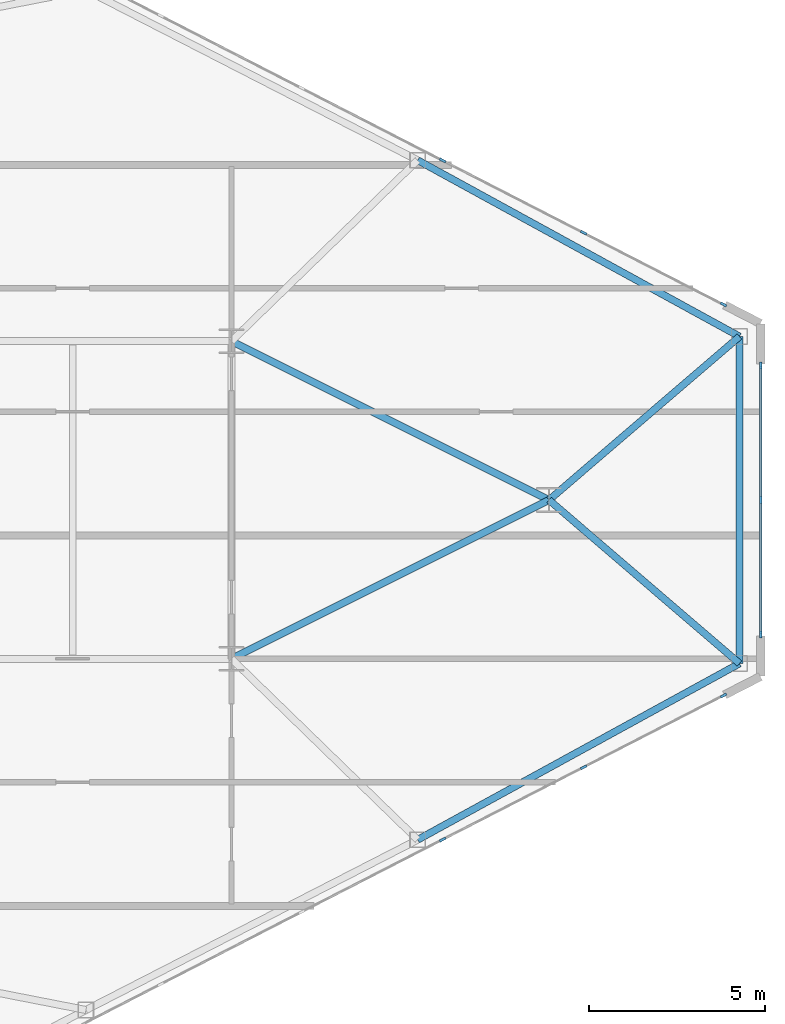
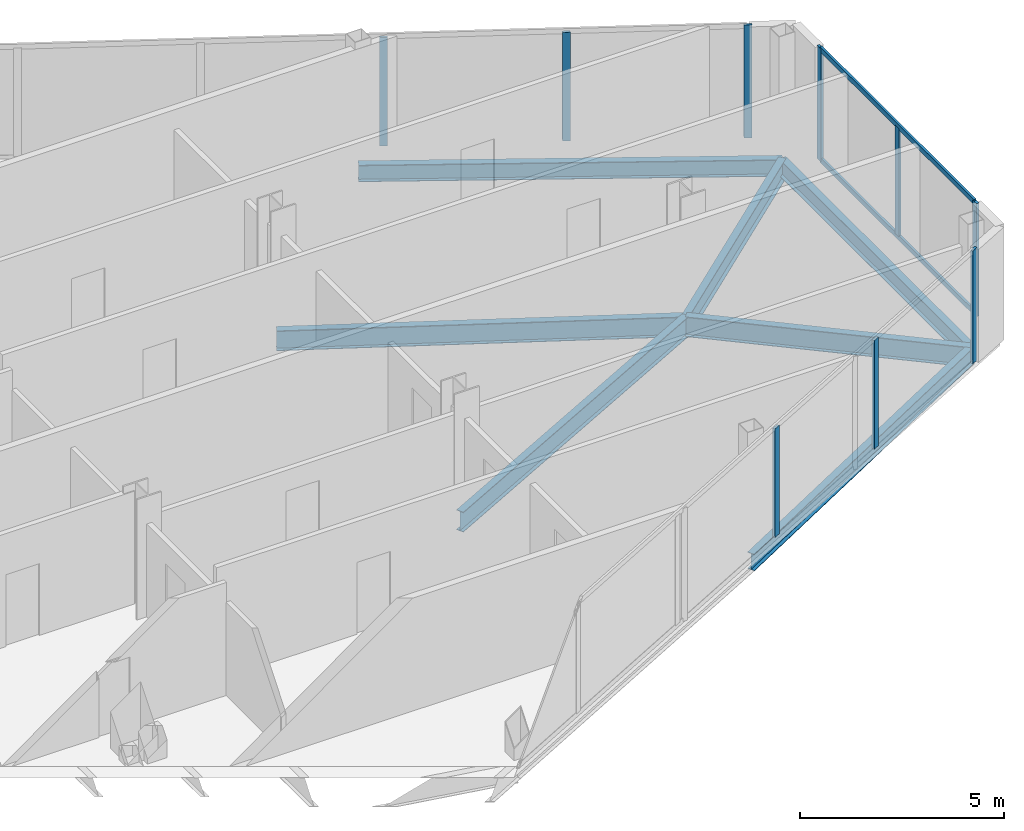
# One storey, part 13 of 24: 11 members, 7 beams, 3 elements without a shape of their own.
"""IFC4 building model written with IfcOpenShell, lengths in metres."""

from ifc_helpers import new_model, si_unit, direction, frame, origin, origin_2d, place, context, subcontext, project, spatial, rectangle, i_section, extrude, source, transform, mapped, material, layer, layer_set, material_profile, profile_set, type_object, type_shapes, element, aggregate, save


model = new_model("IFC4")

# Units and contexts
model_context = context("Model", 3, precision=1e-05, world=origin(), true_north=direction((0.0, 1.0)))
body_context = subcontext(model_context, "Body", "Model", "MODEL_VIEW")
ifc_project = project(units=[si_unit("LENGTHUNIT", "METRE"), si_unit("AREAUNIT", "SQUARE_METRE"), si_unit("VOLUMEUNIT", "CUBIC_METRE"), si_unit("PLANEANGLEUNIT", "RADIAN"), si_unit("MASSUNIT", "GRAM", prefix="KILO")], contexts=[model_context])

# Site, building, storey
site_placement = place(None, origin())
site = spatial("IfcSite", under=ifc_project, at=site_placement, CompositionType="ELEMENT")
building_placement = place(site_placement, origin())
building = spatial("IfcBuilding", under=site, at=building_placement, Name="Seokmaru Belvedere", CompositionType="ELEMENT")
storey_placement = place(building_placement, frame((0.0, 0.0, 140.39990234375)))
storey = spatial("IfcBuildingStorey", under=building, at=storey_placement, Name="L37", CompositionType="ELEMENT", Elevation=140.39990234375)

# Beams
ifc_material_1 = material(Name="Steel SM355 (355 MPa)", Category="steel")
ifc_material_profile_1 = material_profile(ifc_material_1, i_section(OverallWidth=0.199951171875, OverallDepth=0.60009765625, WebThickness=0.010986328125, FlangeThickness=0.01708984375, at=origin_2d()), Name="H-600x200x11x17")
ifc_profile_set_1 = profile_set([ifc_material_profile_1], Name="Steel SM355 (355 MPa)")
beam_type_1 = type_object("IfcBeamType", Name="Primary Floor Girder H-600", PredefinedType="BEAM", material=ifc_profile_set_1)
shared_shape_1 = source(origin(), body_context, "Body", "SweptSolid", [
    extrude(i_section(OverallWidth=0.199951171875, OverallDepth=0.60009765625, WebThickness=0.010986328125, FlangeThickness=0.01708984375, at=origin_2d()), origin(), (0.0, 0.0, 1.0), 10.062255859375),
])
for number, where, z_axis, x_axis, name in (
    (1, (54.5, -4.5, -0.52001953125), (0.894427191, 0.4472135955, 0.0), (-0.4472135955, 0.894427191, 0.0), "L37 E Apex Converging Girder 1"),
    (2, (54.5, 4.5, -0.52001953125), (0.894427191, -0.4472135955, 0.0), (0.4472135955, 0.894427191, 0.0), "L37 E Apex Converging Girder 2"),
):
    element("IfcBeam", number, at=place(storey_placement, frame(where, z_axis=z_axis, x_axis=x_axis)), inside=storey, type_object=beam_type_1, Name=name, PredefinedType="BEAM", context=body_context, shape_type="MappedRepresentation", body=[
        mapped(shared_shape_1, transform((0.0, 0.0, 0.0), scale=1.0)),
    ])
ifc_material_profile_2 = material_profile(ifc_material_1, i_section(OverallWidth=0.199951171875, OverallDepth=0.5, WebThickness=0.010009765625, FlangeThickness=0.01611328125, at=origin_2d()), Name="H-500x200x10x16")
ifc_profile_set_2 = profile_set([ifc_material_profile_2], Name="Steel SM355 (355 MPa)")
beam_type_2 = type_object("IfcBeamType", Name="Perimeter Spandrel Beam H-500", PredefinedType="SPANDREL", material=ifc_profile_set_2)
shared_shape_2 = source(origin(), body_context, "Body", "SweptSolid", [
    extrude(i_section(OverallWidth=0.199951171875, OverallDepth=0.5, WebThickness=0.010009765625, FlangeThickness=0.01611328125, at=origin_2d()), origin(), (0.0, 0.0, 1.0), 10.399658203125),
])
for number, where, z_axis, x_axis, name in (
    (3, (59.778564453125, -9.62890625, -0.469970703125), (0.877082374422, 0.480339992587, 0.0), (-0.480339992587, 0.877082374422, 0.0), "L37 E Faceted Flank Spandrel S-4"),
    (4, (59.778564453125, 9.62890625, -0.469970703125), (0.877082374422, -0.480339992587, 0.0), (0.480339992587, 0.877082374422, 0.0), "L37 E Faceted Flank Spandrel N-4"),
):
    element("IfcBeam", number, at=place(storey_placement, frame(where, z_axis=z_axis, x_axis=x_axis)), inside=storey, type_object=beam_type_2, Name=name, PredefinedType="SPANDREL", context=body_context, shape_type="MappedRepresentation", body=[
        mapped(shared_shape_2, transform((0.0, 0.0, 0.0), scale=1.0)),
    ])
shared_shape_3 = source(origin(), body_context, "Body", "SweptSolid", [
    extrude(i_section(OverallWidth=0.199951171875, OverallDepth=0.5, WebThickness=0.010009765625, FlangeThickness=0.01611328125, at=origin_2d()), origin(), (0.0, 0.0, 1.0), 9.26708984375),
])
type_shapes(beam_type_2, [shared_shape_2, shared_shape_3])
beam_placement = place(storey_placement, frame((68.89990234375, -4.633544921875, -0.469970703125), z_axis=(0.0, 1.0, 0.0), x_axis=(-1.0, 0.0, 0.0)))
element("IfcBeam", 5, at=beam_placement, inside=storey, type_object=beam_type_2, Name="L37 E Faceted Apex Spandrel", PredefinedType="SPANDREL", context=body_context, shape_type="MappedRepresentation", body=[
    mapped(shared_shape_3, transform((0.0, 0.0, 0.0), scale=1.0)),
])
shared_shape_4 = source(origin(), body_context, "Body", "SweptSolid", [
    extrude(i_section(OverallWidth=0.199951171875, OverallDepth=0.60009765625, WebThickness=0.010986328125, FlangeThickness=0.01708984375, at=origin_2d()), origin(), (0.0, 0.0, 1.0), 7.115478515625),
])
type_shapes(beam_type_1, [shared_shape_1, shared_shape_4])
for number, where, z_axis, x_axis, name in (
    (6, (68.89990234375, -4.633544921875, -0.52001953125), (-0.758905301881, 0.651201000289, 0.0), (-0.651201000289, -0.758905301881, 0.0), "L37 E Apex Radial Floor Girder 1"),
    (7, (68.89990234375, 4.633544921875, -0.52001953125), (-0.758905301881, -0.651201000289, 0.0), (0.651201000289, -0.758905301881, 0.0), "L37 E Apex Radial Floor Girder 2"),
):
    element("IfcBeam", number, at=place(storey_placement, frame(where, z_axis=z_axis, x_axis=x_axis)), inside=storey, type_object=beam_type_1, Name=name, PredefinedType="BEAM", context=body_context, shape_type="MappedRepresentation", body=[
        mapped(shared_shape_4, transform((0.0, 0.0, 0.0), scale=1.0)),
    ])

# Curtain wall, member
ifc_material_2 = material(Name="Bronze Triple Insulating Glass", Category="glass")
ifc_layer = layer(ifc_material_2, 0.195068359375)
ifc_layer_set = layer_set([ifc_layer], Name="Bronze Triple Insulating Glass")
curtain_wall_type = type_object("IfcCurtainWallType", Name="Sky-Lobby and Mid-Rise Curtain Wall System CW-4", PredefinedType="NOTDEFINED", material=ifc_layer_set)
curtain_wall_1_placement = place(storey_placement, origin())
curtain_wall_1 = element("IfcCurtainWall", 8, at=curtain_wall_1_placement, inside=storey, type_object=curtain_wall_type, Name="L37 Curtain Wall EF1", PredefinedType="NOTDEFINED")
ifc_material_3 = material(Name="Anodised Bronze Aluminium", Category="aluminium")
ifc_material_profile_3 = material_profile(ifc_material_3, rectangle(XDim=0.070068359375, YDim=0.195068359375, at=origin_2d()), Name="CW-M-70x195")
ifc_profile_set_3 = profile_set([ifc_material_profile_3], Name="Anodised Bronze Aluminium")
member_type_1 = type_object("IfcMemberType", Name="Bronze Unitised Mullion 70x195", PredefinedType="MULLION", material=ifc_profile_set_3)
shared_shape_5 = source(origin(), body_context, "Body", "SweptSolid", [
    extrude(rectangle(XDim=0.070068359375, YDim=0.195068359375, at=origin_2d()), origin(), (0.0, 0.0, 1.0), 3.380126953125),
])
member_1_placement = place(storey_placement, frame((68.44580078125, -5.541015625, 0.0), z_axis=(0.0, 0.0, 1.0), x_axis=(-0.456554528263, 0.889695432562, 0.0)))
member_1 = element("IfcMember", 9, at=member_1_placement, type_object=member_type_1, Name="CW:L37:EF1 Mullion 10", PredefinedType="MULLION", context=body_context, shape_type="MappedRepresentation", body=[
    mapped(shared_shape_5, transform((0.0, 0.0, 0.0), scale=1.0)),
])

# Curtain wall, members
curtain_wall_2_placement = place(storey_placement, origin())
curtain_wall_2 = element("IfcCurtainWall", 10, at=curtain_wall_2_placement, inside=storey, type_object=curtain_wall_type, Name="L37 Curtain Wall EF2", PredefinedType="NOTDEFINED")
member_2_placement = place(storey_placement, frame((69.5, -3.81494140625, 0.0), z_axis=(0.0, 0.0, 1.0), x_axis=(-1.0, 0.0, 0.0)))
member_2 = element("IfcMember", 11, at=member_2_placement, type_object=member_type_1, Name="CW:L37:EF2 Mullion 1", PredefinedType="MULLION", context=body_context, shape_type="MappedRepresentation", body=[
    mapped(shared_shape_5, transform((0.0, 0.0, 0.0), scale=1.0)),
])
member_3_placement = place(storey_placement, frame((69.5, 3.81494140625, 0.0), z_axis=(0.0, 0.0, 1.0), x_axis=(-1.0, 0.0, 0.0)))
member_3 = element("IfcMember", 12, at=member_3_placement, type_object=member_type_1, Name="CW:L37:EF2 Mullion 3", PredefinedType="MULLION", context=body_context, shape_type="MappedRepresentation", body=[
    mapped(shared_shape_5, transform((0.0, 0.0, 0.0), scale=1.0)),
])

# Curtain wall, member
curtain_wall_3_placement = place(storey_placement, origin())
curtain_wall_3 = element("IfcCurtainWall", 13, at=curtain_wall_3_placement, inside=storey, type_object=curtain_wall_type, Name="L37 Curtain Wall EF3", PredefinedType="NOTDEFINED")
member_4_placement = place(storey_placement, frame((68.44580078125, 5.541015625, 0.0), z_axis=(0.0, 0.0, 1.0), x_axis=(-0.456554528263, -0.889695432562, 0.0)))
member_4 = element("IfcMember", 14, at=member_4_placement, type_object=member_type_1, Name="CW:L37:EF3 Mullion 1", PredefinedType="MULLION", context=body_context, shape_type="MappedRepresentation", body=[
    mapped(shared_shape_5, transform((0.0, 0.0, 0.0), scale=1.0)),
])

# Member
shared_shape_6 = source(origin(), body_context, "Body", "SweptSolid", [
    extrude(rectangle(XDim=0.070068359375, YDim=0.195068359375, at=origin_2d()), origin(), (0.0, 0.0, 1.0), 3.25),
])
type_shapes(member_type_1, [shared_shape_5, shared_shape_6])
member_5_placement = place(storey_placement, frame((60.4873046875, -9.625, 0.065185546875), z_axis=(0.0, 0.0, 1.0), x_axis=(-0.456554528263, 0.889695432562, 0.0)))
member_5 = element("IfcMember", 15, at=member_5_placement, type_object=member_type_1, Name="CW:L37:EF1 Mullion 8", PredefinedType="MULLION", context=body_context, shape_type="MappedRepresentation", body=[
    mapped(shared_shape_6, transform((0.0, 0.0, 0.0), scale=1.0)),
])

member_6_placement = place(storey_placement, frame((64.48193359375, -7.574951171875, 0.065185546875), z_axis=(0.0, 0.0, 1.0), x_axis=(-0.456554528263, 0.889695432562, 0.0)))
member_6 = element("IfcMember", 16, at=member_6_placement, type_object=member_type_1, Name="CW:L37:EF1 Mullion 9", PredefinedType="MULLION", context=body_context, shape_type="MappedRepresentation", body=[
    mapped(shared_shape_6, transform((0.0, 0.0, 0.0), scale=1.0)),
])

aggregate(curtain_wall_1, [member_5, member_6, member_1])

member_7_placement = place(storey_placement, frame((69.5, 0.0, 0.065185546875), z_axis=(0.0, 0.0, 1.0), x_axis=(-1.0, 0.0, 0.0)))
member_7 = element("IfcMember", 17, at=member_7_placement, type_object=member_type_1, Name="CW:L37:EF2 Mullion 2", PredefinedType="MULLION", context=body_context, shape_type="MappedRepresentation", body=[
    mapped(shared_shape_6, transform((0.0, 0.0, 0.0), scale=1.0)),
])

member_8_placement = place(storey_placement, frame((64.48193359375, 7.574951171875, 0.065185546875), z_axis=(0.0, 0.0, 1.0), x_axis=(-0.456554528263, -0.889695432562, 0.0)))
member_8 = element("IfcMember", 18, at=member_8_placement, type_object=member_type_1, Name="CW:L37:EF3 Mullion 2", PredefinedType="MULLION", context=body_context, shape_type="MappedRepresentation", body=[
    mapped(shared_shape_6, transform((0.0, 0.0, 0.0), scale=1.0)),
])

member_9_placement = place(storey_placement, frame((60.4873046875, 9.625, 0.065185546875), z_axis=(0.0, 0.0, 1.0), x_axis=(-0.456554528263, -0.889695432562, 0.0)))
member_9 = element("IfcMember", 19, at=member_9_placement, type_object=member_type_1, Name="CW:L37:EF3 Mullion 3", PredefinedType="MULLION", context=body_context, shape_type="MappedRepresentation", body=[
    mapped(shared_shape_6, transform((0.0, 0.0, 0.0), scale=1.0)),
])

aggregate(curtain_wall_3, [member_4, member_8, member_9])

ifc_material_profile_4 = material_profile(ifc_material_3, rectangle(XDim=0.06494140625, YDim=0.14990234375, at=origin_2d()), Name="CW-T-65x150")
ifc_profile_set_4 = profile_set([ifc_material_profile_4], Name="Anodised Bronze Aluminium")
member_type_2 = type_object("IfcMemberType", Name="Bronze Unitised Transom 65x150", PredefinedType="USERDEFINED", material=ifc_profile_set_4)
shared_shape_7 = source(origin(), body_context, "Body", "SweptSolid", [
    extrude(rectangle(XDim=0.06494140625, YDim=0.14990234375, at=origin_2d()), origin(), (0.0, 0.0, 1.0), 7.56005859375),
])
type_shapes(member_type_2, [shared_shape_7])
member_10_placement = place(storey_placement, frame((69.5, -3.780029296875, 0.03271484375), z_axis=(0.0, 1.0, 0.0), x_axis=(-1.0, 0.0, 0.0)))
member_10 = element("IfcMember", 20, at=member_10_placement, type_object=member_type_2, Name="CW:L37:EF2 Continuous Transom 1", ObjectType="TRANSOM", PredefinedType="USERDEFINED", context=body_context, shape_type="MappedRepresentation", body=[
    mapped(shared_shape_7, transform((0.0, 0.0, 0.0), scale=1.0)),
])

member_11_placement = place(storey_placement, frame((69.5, -3.780029296875, 3.34765625), z_axis=(0.0, 1.0, 0.0), x_axis=(-1.0, 0.0, 0.0)))
member_11 = element("IfcMember", 21, at=member_11_placement, type_object=member_type_2, Name="CW:L37:EF2 Continuous Transom 2", ObjectType="TRANSOM", PredefinedType="USERDEFINED", context=body_context, shape_type="MappedRepresentation", body=[
    mapped(shared_shape_7, transform((0.0, 0.0, 0.0), scale=1.0)),
])

aggregate(curtain_wall_2, [member_2, member_7, member_3, member_10, member_11])

save(model, "model.ifc")
